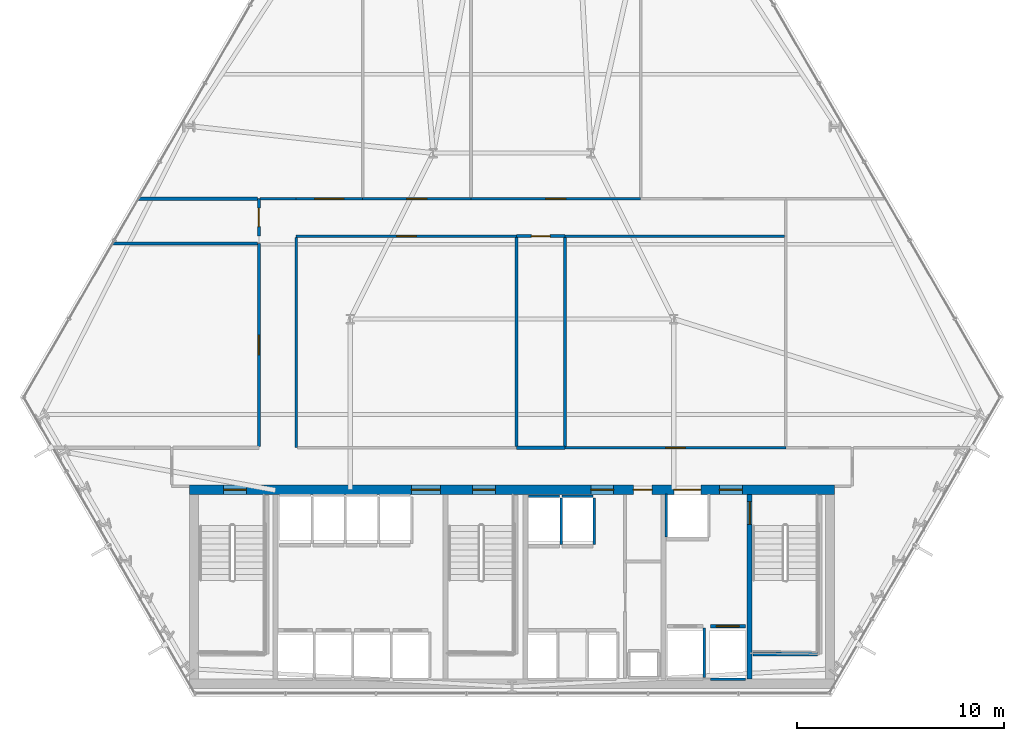
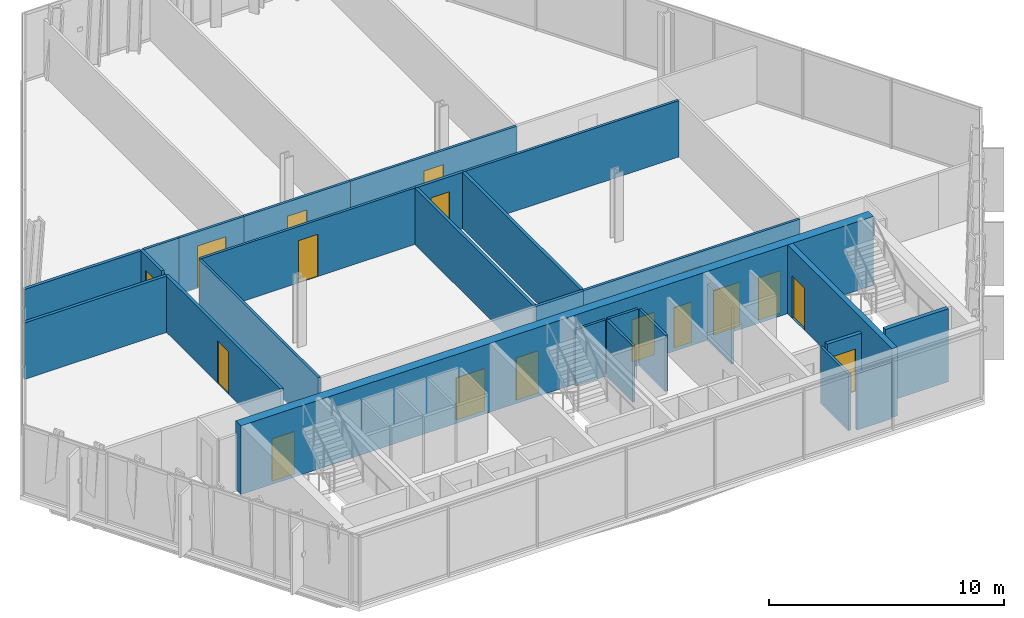
# One storey, part 28 of 33: 27 walls, 17 doors, 17 openings.
"""IFC4 building model written with IfcOpenShell, lengths in metres."""

from ifc_helpers import new_model, si_unit, direction, frame, frame_2d, origin, place, context, subcontext, project, spatial, rectangle, extrude, material, layer, layer_set, type_object, element, fill, save


model = new_model("IFC4")

# Units and contexts
model_context = context("Model", 3, precision=1e-05, world=origin(), true_north=direction((0.0, 1.0)))
body_context = subcontext(model_context, "Body", "Model", "MODEL_VIEW")
ifc_project = project(units=[si_unit("LENGTHUNIT", "METRE"), si_unit("AREAUNIT", "SQUARE_METRE"), si_unit("VOLUMEUNIT", "CUBIC_METRE"), si_unit("PLANEANGLEUNIT", "RADIAN"), si_unit("MASSUNIT", "GRAM", prefix="KILO")], contexts=[model_context])

# Site, building, storey
site_placement = place(None, origin())
site = spatial("IfcSite", under=ifc_project, at=site_placement, CompositionType="ELEMENT")
building_placement = place(site_placement, origin())
building = spatial("IfcBuilding", under=site, at=building_placement, Name="Ndaravel Arena Tower", CompositionType="ELEMENT")
storey_placement = place(building_placement, frame((0.0, 0.0, 43.60009765625)))
storey = spatial("IfcBuildingStorey", under=building, at=storey_placement, Name="L08", CompositionType="ELEMENT", Elevation=43.60009765625)

# Wall, opening, door
ifc_material_1 = material(Name="Concrete C60/75", Category="concrete")
ifc_layer_1 = layer(ifc_material_1, 0.25)
ifc_layer_set_1 = layer_set([ifc_layer_1], Name="Concrete C60/75")
wall_type_1 = type_object("IfcWallType", Name="WALL-CORE-250", PredefinedType="SOLIDWALL", material=ifc_layer_set_1)
wall_1_placement = place(storey_placement, frame((53.449951171875, 5.85009765625, 0.0), z_axis=(0.0, 0.0, 1.0), x_axis=(0.0, 1.0, 0.0)))
wall_1 = element("IfcWall", 1, at=wall_1_placement, inside=storey, type_object=wall_type_1, Name="L08 Core Web Shear Wall 5", PredefinedType="SOLIDWALL", context=body_context, shape_type="SweptSolid", body=[
    extrude(rectangle(XDim=8.89990234375, YDim=0.25, at=frame_2d((4.449951171875, 0.0))), origin(), (0.0, 0.0, 1.0), 3.579833984375),
])
opening_1_placement = place(wall_1_placement, frame((7.449951171875, 0.0, 0.0)))
opening_1 = element("IfcOpeningElement", 2, at=opening_1_placement, cuts=wall_1, Name="Opening FD-01", PredefinedType="OPENING", context=body_context, shape_type="SweptSolid", body=[
    extrude(rectangle(XDim=1.10009765625, YDim=2.199951171875, at=frame_2d((0.550048828125, 1.10009765625))), frame((0.0, 0.125, 0.0), z_axis=(0.0, -1.0, 0.0), x_axis=(1.0, 0.0, 0.0)), (0.0, 0.0, 1.0), 0.25),
])
ifc_material_2 = material(Name="Steel S355", Category="steel")
door_type_1 = type_object("IfcDoorType", Name="DT-01-STAIR-1100", OperationType="SINGLE_SWING_LEFT", PredefinedType="DOOR", material=ifc_material_2)
door_1_placement = place(opening_1_placement, origin())
door_1 = element("IfcDoor", 3, at=door_1_placement, inside=storey, type_object=door_type_1, Name="L08 Firefighting Lobby to ST-3 Door", OperationType="SINGLE_SWING_LEFT", OverallHeight=2.199951171875, OverallWidth=1.10009765625, PredefinedType="DOOR", context=body_context, shape_type="SweptSolid", body=[
    extrude(rectangle(XDim=1.10009765625, YDim=2.199951171875, at=frame_2d((0.550048828125, 1.10009765625))), frame((0.0, 0.02490234375, 0.0), z_axis=(0.0, -1.0, 0.0), x_axis=(1.0, 0.0, 0.0)), (0.0, 0.0, 1.0), 0.050048828125),
])
fill(opening_1, door_1)

# Wall, openings, doors
ifc_material_3 = material(Name="Concrete C60/75", Category="concrete")
ifc_layer_2 = layer(ifc_material_3, 0.449951171875)
ifc_layer_set_2 = layer_set([ifc_layer_2], Name="Concrete C60/75")
wall_type_2 = type_object("IfcWallType", Name="WALL-CORE-450", PredefinedType="SOLIDWALL", material=ifc_layer_set_2)
wall_2_placement = place(storey_placement, frame((26.449951171875, 14.97509765625, 0.0), z_axis=(0.0, 0.0, 1.0), x_axis=(1.0, 0.0, 0.0)))
wall_2 = element("IfcWall", 4, at=wall_2_placement, inside=storey, type_object=wall_type_2, Name="L08 Core North Shear Wall", PredefinedType="SOLIDWALL", context=body_context, shape_type="SweptSolid", body=[
    extrude(rectangle(XDim=31.10009765625, YDim=0.449951171875, at=frame_2d((15.550048828125, 0.0))), origin(), (0.0, 0.0, 1.0), 3.579833984375),
])
opening_2_placement = place(wall_2_placement, frame((1.64990234375, 0.0, 0.0)))
opening_2 = element("IfcOpeningElement", 5, at=opening_2_placement, cuts=wall_2, Name="Opening FD-01", PredefinedType="OPENING", context=body_context, shape_type="SweptSolid", body=[
    extrude(rectangle(XDim=1.10009765625, YDim=2.199951171875, at=frame_2d((0.550048828125, 1.10009765625))), frame((0.0, 0.22509765625, 0.0), z_axis=(0.0, -1.0, 0.0), x_axis=(1.0, 0.0, 0.0)), (0.0, 0.0, 1.0), 0.449951171875),
])
opening_3_placement = place(wall_2_placement, frame((13.64990234375, 0.0, 0.0)))
opening_3 = element("IfcOpeningElement", 6, at=opening_3_placement, cuts=wall_2, Name="Opening FD-01", PredefinedType="OPENING", context=body_context, shape_type="SweptSolid", body=[
    extrude(rectangle(XDim=1.10009765625, YDim=2.199951171875, at=frame_2d((0.550048828125, 1.10009765625))), frame((0.0, 0.22509765625, 0.0), z_axis=(0.0, -1.0, 0.0), x_axis=(1.0, 0.0, 0.0)), (0.0, 0.0, 1.0), 0.449951171875),
])
opening_4_placement = place(wall_2_placement, frame((25.550048828125, 0.0, 0.0)))
opening_4 = element("IfcOpeningElement", 7, at=opening_4_placement, cuts=wall_2, Name="Opening FD-01", PredefinedType="OPENING", context=body_context, shape_type="SweptSolid", body=[
    extrude(rectangle(XDim=1.10009765625, YDim=2.199951171875, at=frame_2d((0.550048828125, 1.10009765625))), frame((0.0, 0.22509765625, 0.0), z_axis=(0.0, -1.0, 0.0), x_axis=(1.0, 0.0, 0.0)), (0.0, 0.0, 1.0), 0.449951171875),
])
opening_5_placement = place(wall_2_placement, frame((10.699951171875, 0.0, 0.0)))
opening_5 = element("IfcOpeningElement", 8, at=opening_5_placement, cuts=wall_2, Name="Opening ID-02", PredefinedType="OPENING", context=body_context, shape_type="SweptSolid", body=[
    extrude(rectangle(XDim=1.39990234375, YDim=2.199951171875, at=frame_2d((0.699951171875, 1.10009765625))), frame((0.0, 0.22509765625, 0.0), z_axis=(0.0, -1.0, 0.0), x_axis=(1.0, 0.0, 0.0)), (0.0, 0.0, 1.0), 0.449951171875),
])
opening_6_placement = place(wall_2_placement, frame((19.35009765625, 0.0, 0.0)))
opening_6 = element("IfcOpeningElement", 9, at=opening_6_placement, cuts=wall_2, Name="Opening FD-01", PredefinedType="OPENING", context=body_context, shape_type="SweptSolid", body=[
    extrude(rectangle(XDim=1.10009765625, YDim=2.199951171875, at=frame_2d((0.550048828125, 1.10009765625))), frame((0.0, 0.22509765625, 0.0), z_axis=(0.0, -1.0, 0.0), x_axis=(1.0, 0.0, 0.0)), (0.0, 0.0, 1.0), 0.449951171875),
])
opening_7_placement = place(wall_2_placement, frame((21.39990234375, 0.0, 0.0)))
opening_7 = element("IfcOpeningElement", 10, at=opening_7_placement, cuts=wall_2, Name="Opening RD-01", PredefinedType="OPENING", context=body_context, shape_type="SweptSolid", body=[
    extrude(rectangle(XDim=0.89990234375, YDim=2.10009765625, at=frame_2d((0.449951171875, 1.050048828125))), frame((0.0, 0.22509765625, 0.0), z_axis=(0.0, -1.0, 0.0), x_axis=(1.0, 0.0, 0.0)), (0.0, 0.0, 1.0), 0.449951171875),
])
opening_8_placement = place(wall_2_placement, frame((23.35009765625, 0.0, 0.0)))
opening_8 = element("IfcOpeningElement", 11, at=opening_8_placement, cuts=wall_2, Name="Opening LD-02", PredefinedType="OPENING", context=body_context, shape_type="SweptSolid", body=[
    extrude(rectangle(XDim=1.300048828125, YDim=2.300048828125, at=frame_2d((0.64990234375, 1.14990234375))), frame((0.0, 0.22509765625, 0.0), z_axis=(0.0, -1.0, 0.0), x_axis=(1.0, 0.0, 0.0)), (0.0, 0.0, 1.0), 0.449951171875),
])
door_2_placement = place(opening_2_placement, origin())
door_2 = element("IfcDoor", 12, at=door_2_placement, inside=storey, type_object=door_type_1, Name="L08 Exit Stair ST-1 Door", OperationType="SINGLE_SWING_LEFT", OverallHeight=2.199951171875, OverallWidth=1.10009765625, PredefinedType="DOOR", context=body_context, shape_type="SweptSolid", body=[
    extrude(rectangle(XDim=1.10009765625, YDim=2.199951171875, at=frame_2d((0.550048828125, 1.10009765625))), frame((0.0, 0.02490234375, 0.0), z_axis=(0.0, -1.0, 0.0), x_axis=(1.0, 0.0, 0.0)), (0.0, 0.0, 1.0), 0.050048828125),
])
fill(opening_2, door_2)
door_3_placement = place(opening_3_placement, origin())
door_3 = element("IfcDoor", 13, at=door_3_placement, inside=storey, type_object=door_type_1, Name="L08 Exit Stair ST-2 Door", OperationType="SINGLE_SWING_RIGHT", OverallHeight=2.199951171875, OverallWidth=1.10009765625, PredefinedType="DOOR", context=body_context, shape_type="SweptSolid", body=[
    extrude(rectangle(XDim=1.10009765625, YDim=2.199951171875, at=frame_2d((0.550048828125, 1.10009765625))), frame((0.0, 0.02490234375, 0.0), z_axis=(0.0, -1.0, 0.0), x_axis=(1.0, 0.0, 0.0)), (0.0, 0.0, 1.0), 0.050048828125),
])
fill(opening_3, door_3)
door_4_placement = place(opening_4_placement, origin())
door_4 = element("IfcDoor", 14, at=door_4_placement, inside=storey, type_object=door_type_1, Name="L08 Firefighting Lift Lobby Door", OperationType="SINGLE_SWING_RIGHT", OverallHeight=2.199951171875, OverallWidth=1.10009765625, PredefinedType="DOOR", context=body_context, shape_type="SweptSolid", body=[
    extrude(rectangle(XDim=1.10009765625, YDim=2.199951171875, at=frame_2d((0.550048828125, 1.10009765625))), frame((0.0, 0.02490234375, 0.0), z_axis=(0.0, -1.0, 0.0), x_axis=(1.0, 0.0, 0.0)), (0.0, 0.0, 1.0), 0.050048828125),
])
fill(opening_4, door_4)
door_5_placement = place(opening_6_placement, origin())
door_5 = element("IfcDoor", 15, at=door_5_placement, inside=storey, type_object=door_type_1, Name="L08 Express Lift Lobby Entry Door", OperationType="SINGLE_SWING_LEFT", OverallHeight=2.199951171875, OverallWidth=1.10009765625, PredefinedType="DOOR", context=body_context, shape_type="SweptSolid", body=[
    extrude(rectangle(XDim=1.10009765625, YDim=2.199951171875, at=frame_2d((0.550048828125, 1.10009765625))), frame((0.0, 0.02490234375, 0.0), z_axis=(0.0, -1.0, 0.0), x_axis=(1.0, 0.0, 0.0)), (0.0, 0.0, 1.0), 0.050048828125),
])
fill(opening_6, door_5)
ifc_material_4 = material(Name="Timber", Category="wood")
door_type_2 = type_object("IfcDoorType", Name="DT-04-SUITE-1400", OperationType="DOUBLE_DOOR_SINGLE_SWING", PredefinedType="DOOR", material=ifc_material_4)
door_6_placement = place(opening_5_placement, origin())
door_6 = element("IfcDoor", 16, at=door_6_placement, inside=storey, type_object=door_type_2, Name="L08 West Lift Lobby Entry Door", OperationType="DOUBLE_DOOR_SINGLE_SWING", OverallHeight=2.199951171875, OverallWidth=1.39990234375, PredefinedType="DOOR", context=body_context, shape_type="SweptSolid", body=[
    extrude(rectangle(XDim=1.39990234375, YDim=2.199951171875, at=frame_2d((0.699951171875, 1.10009765625))), frame((0.0, 0.02490234375, 0.0), z_axis=(0.0, -1.0, 0.0), x_axis=(1.0, 0.0, 0.0)), (0.0, 0.0, 1.0), 0.050048828125),
])
fill(opening_5, door_6)
ifc_material_5 = material(Name="Steel S355", Category="steel")
door_type_3 = type_object("IfcDoorType", Name="DT-07-SVLIFT-1300", OperationType="DOUBLE_DOOR_SLIDING", PredefinedType="DOOR", material=ifc_material_5)
door_7_placement = place(opening_8_placement, origin())
door_7 = element("IfcDoor", 17, at=door_7_placement, inside=storey, type_object=door_type_3, Name="L08 Lift SVL-1 Sliding Landing Door", OperationType="DOUBLE_DOOR_SLIDING", OverallHeight=2.300048828125, OverallWidth=1.300048828125, PredefinedType="DOOR", context=body_context, shape_type="SweptSolid", body=[
    extrude(rectangle(XDim=1.300048828125, YDim=2.300048828125, at=frame_2d((0.64990234375, 1.14990234375))), frame((0.0, 0.02490234375, 0.0), z_axis=(0.0, -1.0, 0.0), x_axis=(1.0, 0.0, 0.0)), (0.0, 0.0, 1.0), 0.050048828125),
])
fill(opening_8, door_7)
ifc_material_6 = material(Name="Steel S355", Category="steel")
door_type_4 = type_object("IfcDoorType", Name="DT-08-RISER-900", OperationType="SINGLE_SWING_LEFT", PredefinedType="DOOR", material=ifc_material_6)
door_8_placement = place(opening_7_placement, origin())
door_8 = element("IfcDoor", 18, at=door_8_placement, inside=storey, type_object=door_type_4, Name="L08 Core Service Riser North Door", OperationType="SINGLE_SWING_LEFT", OverallHeight=2.10009765625, OverallWidth=0.89990234375, PredefinedType="DOOR", context=body_context, shape_type="SweptSolid", body=[
    extrude(rectangle(XDim=0.89990234375, YDim=2.10009765625, at=frame_2d((0.449951171875, 1.050048828125))), frame((0.0, 0.02490234375, 0.0), z_axis=(0.0, -1.0, 0.0), x_axis=(1.0, 0.0, 0.0)), (0.0, 0.0, 1.0), 0.050048828125),
])
fill(opening_7, door_8)

# Wall
ifc_material_7 = material(Name="Gypsum", Category="gypsum")
ifc_layer_3 = layer(ifc_material_7, 0.125)
ifc_layer_set_3 = layer_set([ifc_layer_3], Name="Gypsum")
wall_type_3 = type_object("IfcWallType", Name="WALL-PART-125", PredefinedType="PARTITIONING", material=ifc_layer_set_3)
wall_3_placement = place(storey_placement, frame((29.864990234375, 29.0, 0.0), z_axis=(0.0, 0.0, 1.0), x_axis=(1.0, 0.0, 0.0)))
element("IfcWall", 19, at=wall_3_placement, inside=storey, type_object=wall_type_3, Name="L08 Interior Partition 008", PredefinedType="PARTITIONING", context=body_context, shape_type="SweptSolid", body=[
    extrude(rectangle(XDim=1.735107421875, YDim=0.125, at=frame_2d((0.86767578125, 0.0))), origin(), (0.0, 0.0, 1.0), 2.9326171875),
])

# Wall, opening, door
wall_4_placement = place(storey_placement, frame((31.60009765625, 29.0, 0.0), z_axis=(0.0, 0.0, 1.0), x_axis=(1.0, 0.0, 0.0)))
wall_4 = element("IfcWall", 20, at=wall_4_placement, inside=storey, type_object=wall_type_3, Name="L08 Interior Partition 009", PredefinedType="PARTITIONING", context=body_context, shape_type="SweptSolid", body=[
    extrude(rectangle(XDim=3.199951171875, YDim=0.125, at=frame_2d((1.60009765625, 0.0))), origin(), (0.0, 0.0, 1.0), 2.9326171875),
])
opening_9_placement = place(wall_4_placement, frame((0.89990234375, 0.0, 0.0)))
opening_9 = element("IfcOpeningElement", 21, at=opening_9_placement, cuts=wall_4, Name="Opening ID-02", PredefinedType="OPENING", context=body_context, shape_type="SweptSolid", body=[
    extrude(rectangle(XDim=1.39990234375, YDim=2.199951171875, at=frame_2d((0.699951171875, 1.10009765625))), frame((0.0, 0.0625, 0.0), z_axis=(0.0, -1.0, 0.0), x_axis=(1.0, 0.0, 0.0)), (0.0, 0.0, 1.0), 0.125),
])
door_9_placement = place(opening_9_placement, origin())
door_9 = element("IfcDoor", 22, at=door_9_placement, inside=storey, type_object=door_type_2, Name="L08 Client Conference Room 2 Door", OperationType="SINGLE_SWING_LEFT", OverallHeight=2.199951171875, OverallWidth=1.39990234375, PredefinedType="DOOR", context=body_context, shape_type="SweptSolid", body=[
    extrude(rectangle(XDim=1.39990234375, YDim=2.199951171875, at=frame_2d((0.699951171875, 1.10009765625))), frame((0.0, 0.02490234375, 0.0), z_axis=(0.0, -1.0, 0.0), x_axis=(1.0, 0.0, 0.0)), (0.0, 0.0, 1.0), 0.050048828125),
])
fill(opening_9, door_9)

wall_5_placement = place(storey_placement, frame((34.800048828125, 29.0, 0.0), z_axis=(0.0, 0.0, 1.0), x_axis=(1.0, 0.0, 0.0)))
wall_5 = element("IfcWall", 23, at=wall_5_placement, inside=storey, type_object=wall_type_3, Name="L08 Interior Partition 010", PredefinedType="PARTITIONING", context=body_context, shape_type="SweptSolid", body=[
    extrude(rectangle(XDim=5.225830078125, YDim=0.125, at=frame_2d((2.61279296875, 0.0))), origin(), (0.0, 0.0, 1.0), 2.9326171875),
])
opening_10_placement = place(wall_5_placement, frame((2.137939453125, 0.0, 0.0)))
opening_10 = element("IfcOpeningElement", 24, at=opening_10_placement, cuts=wall_5, Name="Opening ID-01", PredefinedType="OPENING", context=body_context, shape_type="SweptSolid", body=[
    extrude(rectangle(XDim=0.949951171875, YDim=2.199951171875, at=frame_2d((0.47509765625, 1.10009765625))), frame((0.0, 0.0625, 0.0), z_axis=(0.0, -1.0, 0.0), x_axis=(1.0, 0.0, 0.0)), (0.0, 0.0, 1.0), 0.125),
])
ifc_material_8 = material(Name="Timber", Category="wood")
door_type_5 = type_object("IfcDoorType", Name="DT-03-OFFICE-950", OperationType="SINGLE_SWING_LEFT", PredefinedType="DOOR", material=ifc_material_8)
door_10_placement = place(opening_10_placement, origin())
door_10 = element("IfcDoor", 25, at=door_10_placement, inside=storey, type_object=door_type_5, Name="L08 Training Classroom 4 Door", OperationType="SINGLE_SWING_RIGHT", OverallHeight=2.199951171875, OverallWidth=0.949951171875, PredefinedType="DOOR", context=body_context, shape_type="SweptSolid", body=[
    extrude(rectangle(XDim=0.949951171875, YDim=2.199951171875, at=frame_2d((0.47509765625, 1.10009765625))), frame((0.0, 0.02490234375, 0.0), z_axis=(0.0, -1.0, 0.0), x_axis=(1.0, 0.0, 0.0)), (0.0, 0.0, 1.0), 0.050048828125),
])
fill(opening_10, door_10)

wall_6_placement = place(storey_placement, frame((40.02587890625, 29.0, 0.0), z_axis=(0.0, 0.0, 1.0), x_axis=(1.0, 0.0, 0.0)))
wall_6 = element("IfcWall", 26, at=wall_6_placement, inside=storey, type_object=wall_type_3, Name="L08 Interior Partition 011", PredefinedType="PARTITIONING", context=body_context, shape_type="SweptSolid", body=[
    extrude(rectangle(XDim=8.174072265625, YDim=0.125, at=frame_2d((4.0869140625, 0.0))), origin(), (0.0, 0.0, 1.0), 2.9326171875),
])
opening_11_placement = place(wall_6_placement, frame((3.612060546875, 0.0, 0.0)))
opening_11 = element("IfcOpeningElement", 27, at=opening_11_placement, cuts=wall_6, Name="Opening ID-01", PredefinedType="OPENING", context=body_context, shape_type="SweptSolid", body=[
    extrude(rectangle(XDim=0.949951171875, YDim=2.199951171875, at=frame_2d((0.47509765625, 1.10009765625))), frame((0.0, 0.0625, 0.0), z_axis=(0.0, -1.0, 0.0), x_axis=(1.0, 0.0, 0.0)), (0.0, 0.0, 1.0), 0.125),
])
door_11_placement = place(opening_11_placement, origin())
door_11 = element("IfcDoor", 28, at=door_11_placement, inside=storey, type_object=door_type_5, Name="L08 Executive Corner Office 4 Door", OperationType="SINGLE_SWING_LEFT", OverallHeight=2.199951171875, OverallWidth=0.949951171875, PredefinedType="DOOR", context=body_context, shape_type="SweptSolid", body=[
    extrude(rectangle(XDim=0.949951171875, YDim=2.199951171875, at=frame_2d((0.47509765625, 1.10009765625))), frame((0.0, 0.02490234375, 0.0), z_axis=(0.0, -1.0, 0.0), x_axis=(1.0, 0.0, 0.0)), (0.0, 0.0, 1.0), 0.050048828125),
])
fill(opening_11, door_11)

# Wall
wall_7_placement = place(storey_placement, frame((55.135009765625, 27.199951171875, 0.0), z_axis=(0.0, 0.0, 1.0), x_axis=(-1.0, 0.0, 0.0)))
element("IfcWall", 29, at=wall_7_placement, inside=storey, type_object=wall_type_3, Name="L08 Interior Partition 014", PredefinedType="PARTITIONING", context=body_context, shape_type="SweptSolid", body=[
    extrude(rectangle(XDim=10.57861328125, YDim=0.125, at=frame_2d((5.289306640625, 0.0))), origin(), (0.0, 0.0, 1.0), 2.9326171875),
])

# Wall, opening, door
wall_8_placement = place(storey_placement, frame((42.219970703125, 27.199951171875, 0.0), z_axis=(0.0, 0.0, 1.0), x_axis=(-1.0, 0.0, 0.0)))
wall_8 = element("IfcWall", 30, at=wall_8_placement, inside=storey, type_object=wall_type_3, Name="L08 Interior Partition 016", PredefinedType="PARTITIONING", context=body_context, shape_type="SweptSolid", body=[
    extrude(rectangle(XDim=10.619873046875, YDim=0.125, at=frame_2d((5.31005859375, 0.0))), origin(), (0.0, 0.0, 1.0), 2.9326171875),
])
opening_12_placement = place(wall_8_placement, frame((4.8349609375, 0.0, 0.0)))
opening_12 = element("IfcOpeningElement", 31, at=opening_12_placement, cuts=wall_8, Name="Opening ID-01", PredefinedType="OPENING", context=body_context, shape_type="SweptSolid", body=[
    extrude(rectangle(XDim=0.949951171875, YDim=2.199951171875, at=frame_2d((0.47509765625, 1.10009765625))), frame((0.0, 0.0625, 0.0), z_axis=(0.0, -1.0, 0.0), x_axis=(1.0, 0.0, 0.0)), (0.0, 0.0, 1.0), 0.125),
])
door_12_placement = place(opening_12_placement, origin())
door_12 = element("IfcDoor", 32, at=door_12_placement, inside=storey, type_object=door_type_5, Name="L08 Staff Wellness Clinic Door", OperationType="SINGLE_SWING_RIGHT", OverallHeight=2.199951171875, OverallWidth=0.949951171875, PredefinedType="DOOR", context=body_context, shape_type="SweptSolid", body=[
    extrude(rectangle(XDim=0.949951171875, YDim=2.199951171875, at=frame_2d((0.47509765625, 1.10009765625))), frame((0.0, 0.02490234375, 0.0), z_axis=(0.0, -1.0, 0.0), x_axis=(1.0, 0.0, 0.0)), (0.0, 0.0, 1.0), 0.050048828125),
])
fill(opening_12, door_12)

# Wall
wall_9_placement = place(storey_placement, frame((31.60009765625, 27.135009765625, 0.0), z_axis=(0.0, 0.0, 1.0), x_axis=(0.0, -1.0, 0.0)))
element("IfcWall", 33, at=wall_9_placement, inside=storey, type_object=wall_type_3, Name="L08 Interior Partition 017", PredefinedType="PARTITIONING", context=body_context, shape_type="SweptSolid", body=[
    extrude(rectangle(XDim=10.135009765625, YDim=0.125, at=frame_2d((5.0673828125, 0.0))), origin(), (0.0, 0.0, 1.0), 2.9326171875),
])

# Wall, opening, door
wall_10_placement = place(storey_placement, frame((44.556396484375, 17.0, 0.0), z_axis=(0.0, 0.0, 1.0), x_axis=(1.0, 0.0, 0.0)))
wall_10 = element("IfcWall", 34, at=wall_10_placement, inside=storey, type_object=wall_type_3, Name="L08 Interior Partition 020", PredefinedType="PARTITIONING", context=body_context, shape_type="SweptSolid", body=[
    extrude(rectangle(XDim=10.6435546875, YDim=0.125, at=frame_2d((5.32177734375, 0.0))), origin(), (0.0, 0.0, 1.0), 2.9326171875),
])
opening_13_placement = place(wall_10_placement, frame((4.8466796875, 0.0, 0.0)))
opening_13 = element("IfcOpeningElement", 35, at=opening_13_placement, cuts=wall_10, Name="Opening ID-01", PredefinedType="OPENING", context=body_context, shape_type="SweptSolid", body=[
    extrude(rectangle(XDim=0.949951171875, YDim=2.199951171875, at=frame_2d((0.47509765625, 1.10009765625))), frame((0.0, 0.0625, 0.0), z_axis=(0.0, -1.0, 0.0), x_axis=(1.0, 0.0, 0.0)), (0.0, 0.0, 1.0), 0.125),
])
door_13_placement = place(opening_13_placement, origin())
door_13 = element("IfcDoor", 36, at=door_13_placement, inside=storey, type_object=door_type_5, Name="L08 Cellular Partner Office 2 Door", OperationType="SINGLE_SWING_RIGHT", OverallHeight=2.199951171875, OverallWidth=0.949951171875, PredefinedType="DOOR", context=body_context, shape_type="SweptSolid", body=[
    extrude(rectangle(XDim=0.949951171875, YDim=2.199951171875, at=frame_2d((0.47509765625, 1.10009765625))), frame((0.0, 0.02490234375, 0.0), z_axis=(0.0, -1.0, 0.0), x_axis=(1.0, 0.0, 0.0)), (0.0, 0.0, 1.0), 0.050048828125),
])
fill(opening_13, door_13)

# Walls
ifc_material_9 = material(Name="Concrete C40/50", Category="concrete")
ifc_layer_4 = layer(ifc_material_9, 0.1201171875)
ifc_layer_set_4 = layer_set([ifc_layer_4], Name="Concrete C40/50")
wall_type_4 = type_object("IfcWallType", Name="WALL-SHAFT-120", PredefinedType="SOLIDWALL", material=ifc_layer_set_4)
wall_11_placement = place(storey_placement, frame((42.804931640625, 14.659912109375, 0.0), z_axis=(0.0, 0.0, 1.0), x_axis=(1.0, 0.0, 0.0)))
element("IfcWall", 37, at=wall_11_placement, inside=storey, type_object=wall_type_4, Name="L08 PL-OBS1 Shaft Rear Wall", PredefinedType="SOLIDWALL", context=body_context, shape_type="SweptSolid", body=[
    extrude(rectangle(XDim=1.489990234375, YDim=0.1201171875, at=frame_2d((0.7451171875, 0.0))), origin(), (0.0, 0.0, 1.0), 2.9326171875),
])
wall_12_placement = place(storey_placement, frame((44.375, 12.340087890625, 0.0), z_axis=(0.0, 0.0, 1.0), x_axis=(0.0, 1.0, 0.0)))
element("IfcWall", 38, at=wall_12_placement, inside=storey, type_object=wall_type_4, Name="L08 PL-OBS1 Shaft Side R Wall", PredefinedType="SOLIDWALL", context=body_context, shape_type="SweptSolid", body=[
    extrude(rectangle(XDim=2.22998046875, YDim=0.1201171875, at=frame_2d((1.114990234375, 0.0))), origin(), (0.0, 0.0, 1.0), 2.9326171875),
])
wall_13_placement = place(storey_placement, frame((44.405029296875, 14.659912109375, 0.0), z_axis=(0.0, 0.0, 1.0), x_axis=(1.0, 0.0, 0.0)))
element("IfcWall", 39, at=wall_13_placement, inside=storey, type_object=wall_type_4, Name="L08 PL-OBS2 Shaft Rear Wall", PredefinedType="SOLIDWALL", context=body_context, shape_type="SweptSolid", body=[
    extrude(rectangle(XDim=1.489990234375, YDim=0.1201171875, at=frame_2d((0.7451171875, 0.0))), origin(), (0.0, 0.0, 1.0), 2.9326171875),
])
wall_14_placement = place(storey_placement, frame((45.97509765625, 12.340087890625, 0.0), z_axis=(0.0, 0.0, 1.0), x_axis=(0.0, 1.0, 0.0)))
element("IfcWall", 40, at=wall_14_placement, inside=storey, type_object=wall_type_4, Name="L08 PL-OBS2 Shaft Side R Wall", PredefinedType="SOLIDWALL", context=body_context, shape_type="SweptSolid", body=[
    extrude(rectangle(XDim=2.22998046875, YDim=0.1201171875, at=frame_2d((1.114990234375, 0.0))), origin(), (0.0, 0.0, 1.0), 2.9326171875),
])
wall_15_placement = place(storey_placement, frame((51.27490234375, 5.929931640625, 0.0), z_axis=(0.0, 0.0, 1.0), x_axis=(0.0, 1.0, 0.0)))
element("IfcWall", 41, at=wall_15_placement, inside=storey, type_object=wall_type_4, Name="L08 FFL-1 Shaft Side R Wall", PredefinedType="SOLIDWALL", context=body_context, shape_type="SweptSolid", body=[
    extrude(rectangle(XDim=2.380126953125, YDim=0.1201171875, at=frame_2d((1.18994140625, 0.0))), origin(), (0.0, 0.0, 1.0), 2.9326171875),
])
wall_16_placement = place(storey_placement, frame((51.554931640625, 5.840087890625, 0.0), z_axis=(0.0, 0.0, 1.0), x_axis=(1.0, 0.0, 0.0)))
element("IfcWall", 42, at=wall_16_placement, inside=storey, type_object=wall_type_4, Name="L08 FFL-2 Shaft Rear Wall", PredefinedType="SOLIDWALL", context=body_context, shape_type="SweptSolid", body=[
    extrude(rectangle(XDim=1.690185546875, YDim=0.1201171875, at=frame_2d((0.84521484375, 0.0))), origin(), (0.0, 0.0, 1.0), 2.9326171875),
])
wall_17_placement = place(storey_placement, frame((49.43994140625, 12.68994140625, 0.0), z_axis=(0.0, 0.0, 1.0), x_axis=(0.0, 1.0, 0.0)))
element("IfcWall", 43, at=wall_17_placement, inside=storey, type_object=wall_type_4, Name="L08 SVL-1 Shaft W Wall", PredefinedType="SOLIDWALL", context=body_context, shape_type="SweptSolid", body=[
    extrude(rectangle(XDim=2.070068359375, YDim=0.1201171875, at=frame_2d((1.03515625, 0.0))), origin(), (0.0, 0.0, 1.0), 2.9326171875),
])
ifc_material_10 = material(Name="Concrete C40/50", Category="concrete")
ifc_layer_5 = layer(ifc_material_10, 0.199951171875)
ifc_layer_set_5 = layer_set([ifc_layer_5], Name="Concrete C40/50")
wall_type_5 = type_object("IfcWallType", Name="WALL-SHAFT-200", PredefinedType="SOLIDWALL", material=ifc_layer_set_5)
wall_18_placement = place(storey_placement, frame((53.6201171875, 7.050048828125, 0.0), z_axis=(0.0, 0.0, 1.0), x_axis=(1.0, 0.0, 0.0)))
element("IfcWall", 44, at=wall_18_placement, inside=storey, type_object=wall_type_5, Name="L08 ST-3 Structural Shaft Wall Far", PredefinedType="SOLIDWALL", context=body_context, shape_type="SweptSolid", body=[
    extrude(rectangle(XDim=3.114990234375, YDim=0.199951171875, at=frame_2d((1.5576171875, 0.0))), origin(), (0.0, 0.0, 1.0), 3.7998046875),
])

# Wall, opening, door
wall_19_placement = place(storey_placement, frame((51.554931640625, 8.39990234375, 0.0), z_axis=(0.0, 0.0, 1.0), x_axis=(1.0, 0.0, 0.0)))
wall_19 = element("IfcWall", 45, at=wall_19_placement, inside=storey, type_object=wall_type_5, Name="L08 FFL-2 Shaft Landing Wall", PredefinedType="SOLIDWALL", context=body_context, shape_type="SweptSolid", body=[
    extrude(rectangle(XDim=1.690185546875, YDim=0.179931640625, at=frame_2d((0.84521484375, 0.0))), origin(), (0.0, 0.0, 1.0), 2.9326171875),
])
opening_14_placement = place(wall_19_placement, frame((0.294921875, 0.0, 0.0)))
opening_14 = element("IfcOpeningElement", 46, at=opening_14_placement, cuts=wall_19, Name="Opening LD-01", PredefinedType="OPENING", context=body_context, shape_type="SweptSolid", body=[
    extrude(rectangle(XDim=1.10009765625, YDim=2.199951171875, at=frame_2d((0.550048828125, 1.10009765625))), frame((0.0, 0.08984375, 0.0), z_axis=(0.0, -1.0, 0.0), x_axis=(1.0, 0.0, 0.0)), (0.0, 0.0, 1.0), 0.179931640625),
])
ifc_material_11 = material(Name="Steel S355", Category="steel")
door_type_6 = type_object("IfcDoorType", Name="DT-06-LIFT-1100", OperationType="SLIDING_TO_LEFT", PredefinedType="DOOR", material=ifc_material_11)
door_14_placement = place(opening_14_placement, origin())
door_14 = element("IfcDoor", 47, at=door_14_placement, inside=storey, type_object=door_type_6, Name="L08 Lift FFL-2 Sliding Landing Door", OperationType="SLIDING_TO_LEFT", OverallHeight=2.199951171875, OverallWidth=1.10009765625, PredefinedType="DOOR", context=body_context, shape_type="SweptSolid", body=[
    extrude(rectangle(XDim=1.10009765625, YDim=2.199951171875, at=frame_2d((0.550048828125, 1.10009765625))), frame((0.0, 0.02490234375, 0.0), z_axis=(0.0, -1.0, 0.0), x_axis=(1.0, 0.0, 0.0)), (0.0, 0.0, 1.0), 0.050048828125),
])
fill(opening_14, door_14)

ifc_material_12 = material(Name="Masonry", Category="masonry")
ifc_layer_6 = layer(ifc_material_12, 0.14990234375)
ifc_layer_set_6 = layer_set([ifc_layer_6], Name="Masonry")
wall_type_6 = type_object("IfcWallType", Name="WALL-WET-150", PredefinedType="PARTITIONING", material=ifc_layer_set_6)
wall_20_placement = place(storey_placement, frame((29.800048828125, 17.06494140625, 0.0), z_axis=(0.0, 0.0, 1.0), x_axis=(0.0, 1.0, 0.0)))
wall_20 = element("IfcWall", 48, at=wall_20_placement, inside=storey, type_object=wall_type_6, Name="L08 Interior Partition 006", PredefinedType="PARTITIONING", context=body_context, shape_type="SweptSolid", body=[
    extrude(rectangle(XDim=9.775146484375, YDim=0.14990234375, at=frame_2d((4.8876953125, 0.0))), origin(), (0.0, 0.0, 1.0), 2.9326171875),
])
opening_15_placement = place(wall_20_placement, frame((4.41259765625, 0.0, 0.0)))
opening_15 = element("IfcOpeningElement", 49, at=opening_15_placement, cuts=wall_20, Name="Opening FD-03", PredefinedType="OPENING", context=body_context, shape_type="SweptSolid", body=[
    extrude(rectangle(XDim=0.949951171875, YDim=2.199951171875, at=frame_2d((0.47509765625, 1.10009765625))), frame((0.0, 0.074951171875, 0.0), z_axis=(0.0, -1.0, 0.0), x_axis=(1.0, 0.0, 0.0)), (0.0, 0.0, 1.0), 0.14990234375),
])
ifc_material_13 = material(Name="Steel S355", Category="steel")
door_type_7 = type_object("IfcDoorType", Name="DT-11-CORE-950", OperationType="SINGLE_SWING_LEFT", PredefinedType="DOOR", material=ifc_material_13)
door_15_placement = place(opening_15_placement, origin())
door_15 = element("IfcDoor", 50, at=door_15_placement, inside=storey, type_object=door_type_7, Name="L08 Staff Espresso Kitchen Door", OperationType="SINGLE_SWING_LEFT", OverallHeight=2.199951171875, OverallWidth=0.949951171875, PredefinedType="DOOR", context=body_context, shape_type="SweptSolid", body=[
    extrude(rectangle(XDim=0.949951171875, YDim=2.199951171875, at=frame_2d((0.47509765625, 1.10009765625))), frame((0.0, 0.02490234375, 0.0), z_axis=(0.0, -1.0, 0.0), x_axis=(1.0, 0.0, 0.0)), (0.0, 0.0, 1.0), 0.050048828125),
])
fill(opening_15, door_15)

wall_21_placement = place(storey_placement, frame((29.800048828125, 27.199951171875, 0.0), z_axis=(0.0, 0.0, 1.0), x_axis=(0.0, 1.0, 0.0)))
wall_21 = element("IfcWall", 51, at=wall_21_placement, inside=storey, type_object=wall_type_6, Name="L08 Interior Partition 007", PredefinedType="PARTITIONING", context=body_context, shape_type="SweptSolid", body=[
    extrude(rectangle(XDim=1.800048828125, YDim=0.14990234375, at=frame_2d((0.89990234375, 0.0))), origin(), (0.0, 0.0, 1.0), 2.9326171875),
])
opening_16_placement = place(wall_21_placement, frame((0.449951171875, 0.0, 0.0)))
opening_16 = element("IfcOpeningElement", 52, at=opening_16_placement, cuts=wall_21, Name="Opening WD-01", PredefinedType="OPENING", context=body_context, shape_type="SweptSolid", body=[
    extrude(rectangle(XDim=0.89990234375, YDim=2.14990234375, at=frame_2d((0.449951171875, 1.074951171875))), frame((0.0, 0.074951171875, 0.0), z_axis=(0.0, -1.0, 0.0), x_axis=(1.0, 0.0, 0.0)), (0.0, 0.0, 1.0), 0.14990234375),
])
ifc_material_14 = material(Name="Timber", Category="wood")
door_type_8 = type_object("IfcDoorType", Name="DT-05-WC-900", OperationType="SINGLE_SWING_LEFT", PredefinedType="DOOR", material=ifc_material_14)
door_16_placement = place(opening_16_placement, origin())
door_16 = element("IfcDoor", 53, at=door_16_placement, inside=storey, type_object=door_type_8, Name="L08 Female & Accessible Restroom Door", OperationType="SINGLE_SWING_RIGHT", OverallHeight=2.14990234375, OverallWidth=0.89990234375, PredefinedType="DOOR", context=body_context, shape_type="SweptSolid", body=[
    extrude(rectangle(XDim=0.89990234375, YDim=2.14990234375, at=frame_2d((0.449951171875, 1.074951171875))), frame((0.0, 0.02490234375, 0.0), z_axis=(0.0, -1.0, 0.0), x_axis=(1.0, 0.0, 0.0)), (0.0, 0.0, 1.0), 0.050048828125),
])
fill(opening_16, door_16)

wall_22_placement = place(storey_placement, frame((44.556396484375, 27.199951171875, 0.0), z_axis=(0.0, 0.0, 1.0), x_axis=(-1.0, 0.0, 0.0)))
wall_22 = element("IfcWall", 54, at=wall_22_placement, inside=storey, type_object=wall_type_6, Name="L08 Interior Partition 015", PredefinedType="PARTITIONING", context=body_context, shape_type="SweptSolid", body=[
    extrude(rectangle(XDim=2.33642578125, YDim=0.14990234375, at=frame_2d((1.168212890625, 0.0))), origin(), (0.0, 0.0, 1.0), 2.9326171875),
])
opening_17_placement = place(wall_22_placement, frame((0.71826171875, 0.0, 0.0)))
opening_17 = element("IfcOpeningElement", 55, at=opening_17_placement, cuts=wall_22, Name="Opening WD-01", PredefinedType="OPENING", context=body_context, shape_type="SweptSolid", body=[
    extrude(rectangle(XDim=0.89990234375, YDim=2.14990234375, at=frame_2d((0.449951171875, 1.074951171875))), frame((0.0, 0.074951171875, 0.0), z_axis=(0.0, -1.0, 0.0), x_axis=(1.0, 0.0, 0.0)), (0.0, 0.0, 1.0), 0.14990234375),
])
door_17_placement = place(opening_17_placement, origin())
door_17 = element("IfcDoor", 56, at=door_17_placement, inside=storey, type_object=door_type_8, Name="L08 Male Staff & Visitor Restroom Door", OperationType="SINGLE_SWING_LEFT", OverallHeight=2.14990234375, OverallWidth=0.89990234375, PredefinedType="DOOR", context=body_context, shape_type="SweptSolid", body=[
    extrude(rectangle(XDim=0.89990234375, YDim=2.14990234375, at=frame_2d((0.449951171875, 1.074951171875))), frame((0.0, 0.02490234375, 0.0), z_axis=(0.0, -1.0, 0.0), x_axis=(1.0, 0.0, 0.0)), (0.0, 0.0, 1.0), 0.050048828125),
])
fill(opening_17, door_17)

# Walls
wall_23_placement = place(storey_placement, frame((42.219970703125, 17.0, 0.0), z_axis=(0.0, 0.0, 1.0), x_axis=(1.0, 0.0, 0.0)))
element("IfcWall", 57, at=wall_23_placement, inside=storey, type_object=wall_type_6, Name="L08 Interior Partition 019", PredefinedType="PARTITIONING", context=body_context, shape_type="SweptSolid", body=[
    extrude(rectangle(XDim=2.33642578125, YDim=0.14990234375, at=frame_2d((1.168212890625, 0.0))), origin(), (0.0, 0.0, 1.0), 2.9326171875),
])
wall_24_placement = place(storey_placement, frame((22.751220703125, 26.840087890625, 0.0), z_axis=(0.0, 0.0, 1.0), x_axis=(1.0, 0.0, 0.0)))
element("IfcWall", 58, at=wall_24_placement, inside=storey, type_object=wall_type_6, Name="L08 Interior Partition 026", PredefinedType="PARTITIONING", context=body_context, shape_type="SweptSolid", body=[
    extrude(rectangle(XDim=6.98388671875, YDim=0.14990234375, at=frame_2d((3.491943359375, 0.0))), origin(), (0.0, 0.0, 1.0), 2.9326171875),
])
for number, where, z_axis, x_axis, name in (
    (59, (42.219970703125, 27.135009765625, 0.0), (0.0, 0.0, 1.0), (0.0, -1.0, 0.0), "L08 Interior Partition 027"),
    (60, (44.556396484375, 27.135009765625, 0.0), (0.0, 0.0, 1.0), (0.0, -1.0, 0.0), "L08 Interior Partition 028"),
):
    element("IfcWall", number, at=place(storey_placement, frame(where, z_axis=z_axis, x_axis=x_axis)), inside=storey, type_object=wall_type_6, Name=name, PredefinedType="PARTITIONING", context=body_context, shape_type="SweptSolid", body=[
        extrude(rectangle(XDim=10.070068359375, YDim=0.14990234375, at=frame_2d((5.03515625, 0.0))), origin(), (0.0, 0.0, 1.0), 2.9326171875),
    ])
wall_25_placement = place(storey_placement, frame((23.998291015625, 29.0, 0.0), z_axis=(0.0, 0.0, 1.0), x_axis=(1.0, 0.0, 0.0)))
element("IfcWall", 61, at=wall_25_placement, inside=storey, type_object=wall_type_6, Name="L08 Interior Partition 031", PredefinedType="PARTITIONING", context=body_context, shape_type="SweptSolid", body=[
    extrude(rectangle(XDim=5.73681640625, YDim=0.14990234375, at=frame_2d((2.868408203125, 0.0))), origin(), (0.0, 0.0, 1.0), 2.9326171875),
])

save(model, "model.ifc")
